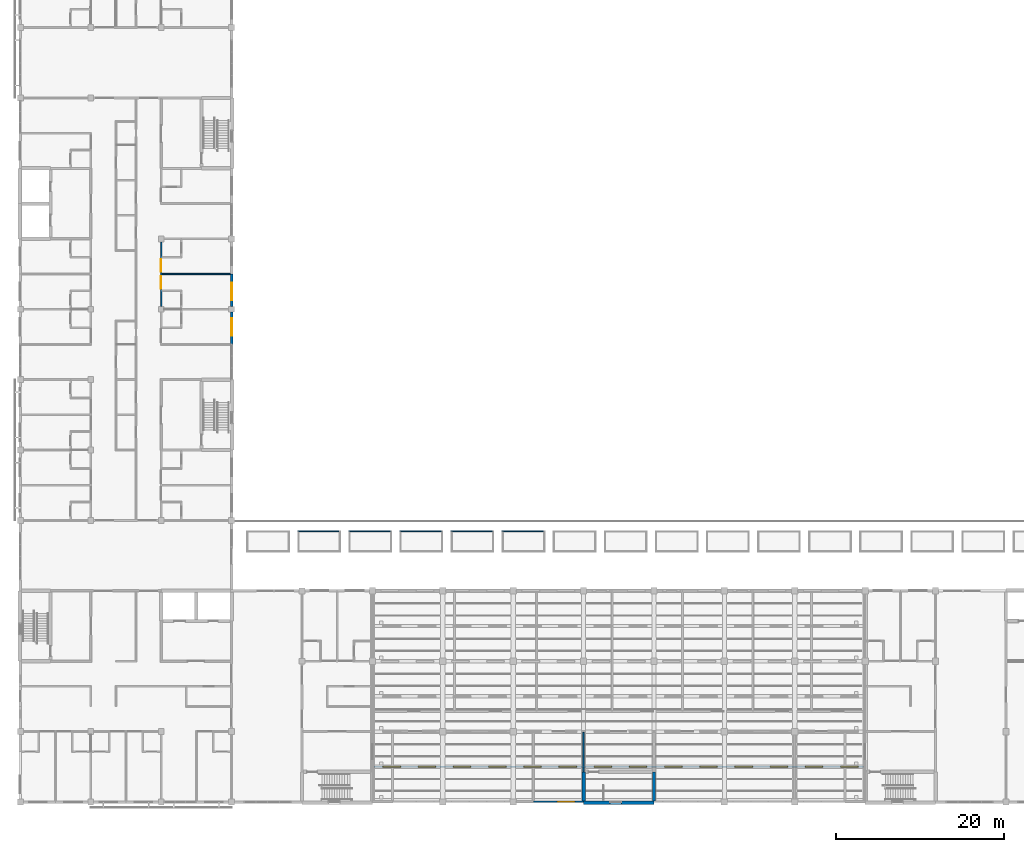
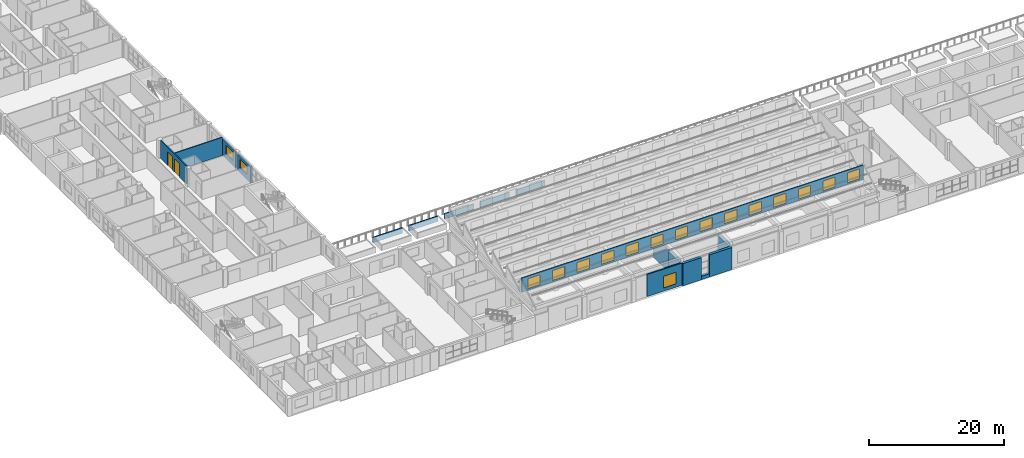
# One storey, part 33 of 61: 17 walls, 17 windows, 2 doors, 19 openings.
"""IFC4 building model written with IfcOpenShell, lengths in metres."""

from ifc_helpers import new_model, si_unit, direction, frame, frame_2d, origin, place, context, subcontext, project, spatial, rectangle, extrude, material, layer, layer_set, type_object, element, fill, save


model = new_model("IFC4")

# Units and contexts
model_context = context("Model", 3, precision=1e-05, world=origin(), true_north=direction((0.0, 1.0)))
body_context = subcontext(model_context, "Body", "Model", "MODEL_VIEW")
ifc_project = project(units=[si_unit("LENGTHUNIT", "METRE"), si_unit("AREAUNIT", "SQUARE_METRE"), si_unit("VOLUMEUNIT", "CUBIC_METRE"), si_unit("PLANEANGLEUNIT", "RADIAN"), si_unit("MASSUNIT", "GRAM", prefix="KILO")], contexts=[model_context])

# Site, building, storey
site_placement = place(None, origin())
site = spatial("IfcSite", under=ifc_project, at=site_placement, CompositionType="ELEMENT")
building_placement = place(site_placement, origin())
building = spatial("IfcBuilding", under=site, at=building_placement, Name="Yavir Park General Hospital", CompositionType="ELEMENT")
storey_placement = place(building_placement, frame((0.0, 0.0, 15.300048828125)))
storey = spatial("IfcBuildingStorey", under=building, at=storey_placement, Name="L03", CompositionType="ELEMENT", Elevation=15.300048828125)

# Walls
ifc_material_1 = material(Name="Double gypsum board fire partition on steel studs", Category="steel")
ifc_layer_1 = layer(ifc_material_1, 0.199951171875)
ifc_layer_set_1 = layer_set([ifc_layer_1], Name="Double gypsum board fire partition on steel studs")
wall_type_1 = type_object("IfcWallType", Name="Fire-rated partition 200, EI 60", PredefinedType="PARTITIONING", material=ifc_layer_set_1)
wall_1_placement = place(storey_placement, frame((67.199951171875, 3.60009765625, 0.0), z_axis=(0.0, 0.0, 1.0), x_axis=(0.0, 1.0, 0.0)))
element("IfcWall", 1, at=wall_1_placement, inside=storey, type_object=wall_type_1, Name="FP20 L03-234", PredefinedType="PARTITIONING", context=body_context, shape_type="SweptSolid", body=[
    extrude(rectangle(XDim=4.699951171875, YDim=0.199951171875, at=frame_2d((2.35009765625, 0.0))), origin(), (0.0, 0.0, 1.0), 4.0),
])
ifc_material_2 = material(Name="Gypsum board partition on steel studs", Category="steel")
ifc_layer_2 = layer(ifc_material_2, 0.14990234375)
ifc_layer_set_2 = layer_set([ifc_layer_2], Name="Gypsum board partition on steel studs")
wall_type_2 = type_object("IfcWallType", Name="Gypsum board partition 150", PredefinedType="PARTITIONING", material=ifc_layer_set_2)
wall_2_placement = place(storey_placement, frame((16.875, 63.0, 0.0), z_axis=(0.0, 0.0, 1.0), x_axis=(1.0, 0.0, 0.0)))
element("IfcWall", 2, at=wall_2_placement, inside=storey, type_object=wall_type_2, Name="P15 L03-098", PredefinedType="PARTITIONING", context=body_context, shape_type="SweptSolid", body=[
    extrude(rectangle(XDim=8.175048828125, YDim=0.14990234375, at=frame_2d((4.08740234375, 0.0))), origin(), (0.0, 0.0, 1.0), 3.260009765625),
])

# Wall, openings, doors
wall_3_placement = place(storey_placement, frame((16.800048828125, 59.14990234375, 0.0), z_axis=(0.0, 0.0, 1.0), x_axis=(0.0, 1.0, 0.0)))
wall_3 = element("IfcWall", 3, at=wall_3_placement, inside=storey, type_object=wall_type_2, Name="P15 L03-194", PredefinedType="PARTITIONING", context=body_context, shape_type="SweptSolid", body=[
    extrude(rectangle(XDim=7.7001953125, YDim=0.14990234375, at=frame_2d((3.85009765625, 0.0))), origin(), (0.0, 0.0, 1.0), 3.260009765625),
])
opening_1_placement = place(wall_3_placement, frame((2.10009765625, 0.0, 0.0)))
opening_1 = element("IfcOpeningElement", 4, at=opening_1_placement, cuts=wall_3, Name="Opening L03.D135", PredefinedType="OPENING", context=body_context, shape_type="SweptSolid", body=[
    extrude(rectangle(XDim=1.5, YDim=2.39990234375, at=frame_2d((0.75, 1.199951171875))), frame((0.0, 0.0849609375, 0.0), z_axis=(0.0, -1.0, 0.0), x_axis=(1.0, 0.0, 0.0)), (0.0, 0.0, 1.0), 0.169921875),
])
opening_2_placement = place(wall_3_placement, frame((4.10009765625, 0.0, 0.0)))
opening_2 = element("IfcOpeningElement", 5, at=opening_2_placement, cuts=wall_3, Name="Opening L03.D136", PredefinedType="OPENING", context=body_context, shape_type="SweptSolid", body=[
    extrude(rectangle(XDim=1.5, YDim=2.39990234375, at=frame_2d((0.75, 1.199951171875))), frame((0.0, 0.0849609375, 0.0), z_axis=(0.0, -1.0, 0.0), x_axis=(1.0, 0.0, 0.0)), (0.0, 0.0, 1.0), 0.169921875),
])
ifc_material_3 = material(Name="Solid-core timber leaves, push plates, kick plates", Category="wood")
door_type = type_object("IfcDoorType", Name="Bed door, unequal leaves 1500 x 2400", OperationType="DOUBLE_DOOR_SINGLE_SWING", PredefinedType="DOOR", material=ifc_material_3)
door_1_placement = place(opening_1_placement, origin())
door_1 = element("IfcDoor", 6, at=door_1_placement, inside=storey, type_object=door_type, Name="L03.D135", OperationType="SINGLE_SWING_LEFT", OverallHeight=2.39990234375, OverallWidth=1.5, PredefinedType="DOOR", context=body_context, shape_type="SweptSolid", body=[
    extrude(rectangle(XDim=1.5, YDim=2.39990234375, at=frame_2d((0.75, 1.199951171875))), frame((0.0, 0.030029296875, 0.0), z_axis=(0.0, -1.0, 0.0), x_axis=(1.0, 0.0, 0.0)), (0.0, 0.0, 1.0), 0.06005859375),
])
fill(opening_1, door_1)
door_2_placement = place(opening_2_placement, origin())
door_2 = element("IfcDoor", 7, at=door_2_placement, inside=storey, type_object=door_type, Name="L03.D136", OperationType="SINGLE_SWING_LEFT", OverallHeight=2.39990234375, OverallWidth=1.5, PredefinedType="DOOR", context=body_context, shape_type="SweptSolid", body=[
    extrude(rectangle(XDim=1.5, YDim=2.39990234375, at=frame_2d((0.75, 1.199951171875))), frame((0.0, 0.030029296875, 0.0), z_axis=(0.0, -1.0, 0.0), x_axis=(1.0, 0.0, 0.0)), (0.0, 0.0, 1.0), 0.06005859375),
])
fill(opening_2, door_2)

# Wall, opening, window
ifc_material_4 = material(Name="Insulated sheet steel panels on a Steel S355 subframe", Category="steel")
ifc_layer_3 = layer(ifc_material_4, 0.22509765625)
ifc_layer_set_3 = layer_set([ifc_layer_3], Name="Insulated sheet steel panels on a Steel S355 subframe")
wall_type_3 = type_object("IfcWallType", Name="Louvred plant wall 225, E 30", PredefinedType="SOLIDWALL", material=ifc_layer_set_3)
wall_4_placement = place(storey_placement, frame((61.199951171875, 0.03759765625, 0.0), z_axis=(0.0, 0.0, 1.0), x_axis=(1.0, 0.0, 0.0)))
wall_4 = element("IfcWall", 8, at=wall_4_placement, inside=storey, type_object=wall_type_3, Name="XW4 L03-017", PredefinedType="SOLIDWALL", context=body_context, shape_type="SweptSolid", body=[
    extrude(rectangle(XDim=6.0, YDim=0.22509765625, at=frame_2d((3.0, 0.0))), origin(), (0.0, 0.0, 1.0), 4.0),
])
opening_3_placement = place(wall_4_placement, frame((2.85009765625, 0.0, 0.60009765625)))
opening_3 = element("IfcOpeningElement", 9, at=opening_3_placement, cuts=wall_4, Name="Opening LV2", PredefinedType="OPENING", context=body_context, shape_type="SweptSolid", body=[
    extrude(rectangle(XDim=2.10009765625, YDim=2.10009765625, at=frame_2d((1.050048828125, 1.050048828125))), frame((0.0, 0.12255859375, 0.0), z_axis=(0.0, -1.0, 0.0), x_axis=(1.0, 0.0, 0.0)), (0.0, 0.0, 1.0), 0.2451171875),
])
ifc_material_5 = material(Name="Anodised aluminium louvre blades in a deep frame", Category="aluminium")
window_type_1 = type_object("IfcWindowType", Name="Tall plant louvre 2100 x 2100", PartitioningType="SINGLE_PANEL", PredefinedType="WINDOW", material=ifc_material_5)
window_1_placement = place(opening_3_placement, origin())
window_1 = element("IfcWindow", 10, at=window_1_placement, inside=storey, type_object=window_type_1, Name="LV2 L03-009", OverallHeight=2.10009765625, OverallWidth=2.10009765625, PartitioningType="SINGLE_PANEL", PredefinedType="WINDOW", context=body_context, shape_type="SweptSolid", body=[
    extrude(rectangle(XDim=2.10009765625, YDim=2.10009765625, at=frame_2d((1.050048828125, 1.050048828125))), frame((0.0, 0.074951171875, 0.0), z_axis=(0.0, -1.0, 0.0), x_axis=(1.0, 0.0, 0.0)), (0.0, 0.0, 1.0), 0.14990234375),
])
fill(opening_3, window_1)

ifc_material_6 = material(Name="Autoclaved aerated block, mineral wool and ochre mineral render")
ifc_layer_4 = layer(ifc_material_6, 0.300048828125)
ifc_layer_set_4 = layer_set([ifc_layer_4], Name="Autoclaved aerated block, mineral wool and ochre mineral render")
wall_type_4 = type_object("IfcWallType", Name="Ochre render ward wall 300, E 30", PredefinedType="SOLIDWALL", material=ifc_layer_set_4)
wall_5_placement = place(storey_placement, frame((25.199951171875, 54.60009765625, 0.0), z_axis=(0.0, 0.0, 1.0), x_axis=(0.0, 1.0, 0.0)))
wall_5 = element("IfcWall", 11, at=wall_5_placement, inside=storey, type_object=wall_type_4, Name="XW7 L03-131", PredefinedType="SOLIDWALL", context=body_context, shape_type="SweptSolid", body=[
    extrude(rectangle(XDim=3.849853515625, YDim=0.300048828125, at=frame_2d((1.9248046875, 0.0))), origin(), (0.0, 0.0, 1.0), 2.9599609375),
])
opening_4_placement = place(wall_5_placement, frame((1.050048828125, 0.0, 0.89990234375)))
opening_4 = element("IfcOpeningElement", 12, at=opening_4_placement, cuts=wall_5, Name="Opening WAR", PredefinedType="OPENING", context=body_context, shape_type="SweptSolid", body=[
    extrude(rectangle(XDim=2.10009765625, YDim=1.5, at=frame_2d((1.050048828125, 0.75))), frame((0.0, 0.159912109375, 0.0), z_axis=(0.0, -1.0, 0.0), x_axis=(1.0, 0.0, 0.0)), (0.0, 0.0, 1.0), 0.320068359375),
])
ifc_material_7 = material(Name="Aluminium frame, tilt-and-turn sash with opening restrictor, double glazed unit", Category="aluminium")
window_type_2 = type_object("IfcWindowType", Name="Ward window, restricted opening 2100 x 1500", PartitioningType="DOUBLE_PANEL_VERTICAL", PredefinedType="WINDOW", material=ifc_material_7)
window_2_placement = place(opening_4_placement, origin())
window_2 = element("IfcWindow", 13, at=window_2_placement, inside=storey, type_object=window_type_2, Name="WAR L03-064", OverallHeight=1.5, OverallWidth=2.10009765625, PartitioningType="DOUBLE_PANEL_VERTICAL", PredefinedType="WINDOW", context=body_context, shape_type="SweptSolid", body=[
    extrude(rectangle(XDim=2.10009765625, YDim=1.5, at=frame_2d((1.050048828125, 0.75))), frame((0.0, 0.050048828125, 0.0), z_axis=(0.0, -1.0, 0.0), x_axis=(1.0, 0.0, 0.0)), (0.0, 0.0, 1.0), 0.10009765625),
])
fill(opening_4, window_2)

wall_6_placement = place(storey_placement, frame((25.199951171875, 59.14990234375, 0.0), z_axis=(0.0, 0.0, 1.0), x_axis=(0.0, 1.0, 0.0)))
wall_6 = element("IfcWall", 14, at=wall_6_placement, inside=storey, type_object=wall_type_4, Name="XW7 L03-132", PredefinedType="SOLIDWALL", context=body_context, shape_type="SweptSolid", body=[
    extrude(rectangle(XDim=3.85009765625, YDim=0.300048828125, at=frame_2d((1.925048828125, 0.0))), origin(), (0.0, 0.0, 1.0), 2.9599609375),
])
opening_5_placement = place(wall_6_placement, frame((0.699951171875, 0.0, 0.89990234375)))
opening_5 = element("IfcOpeningElement", 15, at=opening_5_placement, cuts=wall_6, Name="Opening WAR", PredefinedType="OPENING", context=body_context, shape_type="SweptSolid", body=[
    extrude(rectangle(XDim=2.10009765625, YDim=1.5, at=frame_2d((1.050048828125, 0.75))), frame((0.0, 0.159912109375, 0.0), z_axis=(0.0, -1.0, 0.0), x_axis=(1.0, 0.0, 0.0)), (0.0, 0.0, 1.0), 0.320068359375),
])
window_3_placement = place(opening_5_placement, origin())
window_3 = element("IfcWindow", 16, at=window_3_placement, inside=storey, type_object=window_type_2, Name="WAR L03-065", OverallHeight=1.5, OverallWidth=2.10009765625, PartitioningType="DOUBLE_PANEL_VERTICAL", PredefinedType="WINDOW", context=body_context, shape_type="SweptSolid", body=[
    extrude(rectangle(XDim=2.10009765625, YDim=1.5, at=frame_2d((1.050048828125, 0.75))), frame((0.0, 0.050048828125, 0.0), z_axis=(0.0, -1.0, 0.0), x_axis=(1.0, 0.0, 0.0)), (0.0, 0.0, 1.0), 0.10009765625),
])
fill(opening_5, window_3)

# Walls
ifc_material_8 = material(Name="Concrete C30/37", Category="concrete")
ifc_layer_5 = layer(ifc_material_8, 0.14990234375)
ifc_layer_set_5 = layer_set([ifc_layer_5], Name="Concrete C30/37")
wall_type_5 = type_object("IfcWallType", Name="Planter upstand 150 x 1000", PredefinedType="STANDARD", material=ifc_layer_set_5)
for number, where, z_axis, x_axis, name in (
    (17, (38.068603515625, 32.300048828125, 0.0), (0.0, 0.0, 1.0), (-1.0, 0.0, 0.0), "Planter upstand 2.3"),
    (18, (44.1640625, 32.300048828125, 0.0), (0.0, 0.0, 1.0), (-1.0, 0.0, 0.0), "Planter upstand 3.3"),
    (19, (50.259765625, 32.300048828125, 0.0), (0.0, 0.0, 1.0), (-1.0, 0.0, 0.0), "Planter upstand 4.3"),
    (20, (56.35546875, 32.300048828125, 0.0), (0.0, 0.0, 1.0), (-1.0, 0.0, 0.0), "Planter upstand 5.3"),
    (21, (62.451171875, 32.300048828125, 0.0), (0.0, 0.0, 1.0), (-1.0, 0.0, 0.0), "Planter upstand 6.3"),
):
    element("IfcWall", number, at=place(storey_placement, frame(where, z_axis=z_axis, x_axis=x_axis)), inside=storey, type_object=wall_type_5, Name=name, PredefinedType="STANDARD", context=body_context, shape_type="SweptSolid", body=[
        extrude(rectangle(XDim=5.0, YDim=0.14990234375, at=frame_2d((2.5, 0.0))), origin(), (0.0, 0.0, 1.0), 1.0),
    ])
ifc_material_9 = material(Name="Concrete C35/45", Category="concrete")
ifc_layer_6 = layer(ifc_material_9, 0.39990234375)
ifc_layer_set_6 = layer_set([ifc_layer_6], Name="Concrete C35/45")
wall_type_6 = type_object("IfcWallType", Name="Reinforced concrete core wall 400, REI 150", PredefinedType="SHEAR", material=ifc_layer_set_6)
for number, where, z_axis, x_axis, name in (
    (22, (67.199951171875, 0.14990234375, 0.0), (0.0, 0.0, 1.0), (0.0, 1.0, 0.0), "CW40 L03-233"),
    (23, (75.60009765625, 0.14990234375, 0.0), (0.0, 0.0, 1.0), (0.0, 1.0, 0.0), "CW40 L03-236"),
):
    element("IfcWall", number, at=place(storey_placement, frame(where, z_axis=z_axis, x_axis=x_axis)), inside=storey, type_object=wall_type_6, Name=name, PredefinedType="SHEAR", context=body_context, shape_type="SweptSolid", body=[
        extrude(rectangle(XDim=3.4501953125, YDim=0.39990234375, at=frame_2d((1.72509765625, 0.0))), origin(), (0.0, 0.0, 1.0), 4.0),
    ])

# Wall, openings, windows
ifc_material_10 = material(Name="Concrete C30/37 upstand with 80 mm mineral wool insulation", Category="concrete")
ifc_layer_7 = layer(ifc_material_10, 0.199951171875)
ifc_layer_set_7 = layer_set([ifc_layer_7], Name="Concrete C30/37 upstand with 80 mm mineral wool insulation")
wall_type_7 = type_object("IfcWallType", Name="Reinforced concrete louvre upstand wall 200, E 30", PredefinedType="SOLIDWALL", material=ifc_layer_set_7)
wall_7_placement = place(storey_placement, frame((42.2099609375, 4.199951171875, 4.904052734375), z_axis=(0.0, 0.0, 1.0), x_axis=(1.0, 0.0, 0.0)))
wall_7 = element("IfcWall", 24, at=wall_7_placement, inside=storey, type_object=wall_type_7, Name="XW11 L03-S01", PredefinedType="SOLIDWALL", context=body_context, shape_type="SweptSolid", body=[
    extrude(rectangle(XDim=58.380126953125, YDim=0.199951171875, at=frame_2d((29.18994140625, 0.0))), origin(), (0.0, 0.0, 1.0), 2.538818359375),
])
opening_6_placement = place(wall_7_placement, frame((1.050048828125, 0.0, 0.300048828125)))
opening_6 = element("IfcOpeningElement", 25, at=opening_6_placement, cuts=wall_7, Name="Opening LV5", PredefinedType="OPENING", context=body_context, shape_type="SweptSolid", body=[
    extrude(rectangle(XDim=2.10009765625, YDim=1.800048828125, at=frame_2d((1.050048828125, 0.89990234375))), frame((0.0, 0.10986328125, 0.0), z_axis=(0.0, -1.0, 0.0), x_axis=(1.0, 0.0, 0.0)), (0.0, 0.0, 1.0), 0.219970703125),
])
opening_7_placement = place(wall_7_placement, frame((5.25, 0.0, 0.300048828125)))
opening_7 = element("IfcOpeningElement", 26, at=opening_7_placement, cuts=wall_7, Name="Opening LV5", PredefinedType="OPENING", context=body_context, shape_type="SweptSolid", body=[
    extrude(rectangle(XDim=2.10009765625, YDim=1.800048828125, at=frame_2d((1.050048828125, 0.89990234375))), frame((0.0, 0.10986328125, 0.0), z_axis=(0.0, -1.0, 0.0), x_axis=(1.0, 0.0, 0.0)), (0.0, 0.0, 1.0), 0.219970703125),
])
opening_8_placement = place(wall_7_placement, frame((9.449951171875, 0.0, 0.300048828125)))
opening_8 = element("IfcOpeningElement", 27, at=opening_8_placement, cuts=wall_7, Name="Opening LV5", PredefinedType="OPENING", context=body_context, shape_type="SweptSolid", body=[
    extrude(rectangle(XDim=2.10009765625, YDim=1.800048828125, at=frame_2d((1.050048828125, 0.89990234375))), frame((0.0, 0.10986328125, 0.0), z_axis=(0.0, -1.0, 0.0), x_axis=(1.0, 0.0, 0.0)), (0.0, 0.0, 1.0), 0.219970703125),
])
opening_9_placement = place(wall_7_placement, frame((13.64990234375, 0.0, 0.300048828125)))
opening_9 = element("IfcOpeningElement", 28, at=opening_9_placement, cuts=wall_7, Name="Opening LV5", PredefinedType="OPENING", context=body_context, shape_type="SweptSolid", body=[
    extrude(rectangle(XDim=2.10009765625, YDim=1.800048828125, at=frame_2d((1.050048828125, 0.89990234375))), frame((0.0, 0.10986328125, 0.0), z_axis=(0.0, -1.0, 0.0), x_axis=(1.0, 0.0, 0.0)), (0.0, 0.0, 1.0), 0.219970703125),
])
opening_10_placement = place(wall_7_placement, frame((17.85009765625, 0.0, 0.300048828125)))
opening_10 = element("IfcOpeningElement", 29, at=opening_10_placement, cuts=wall_7, Name="Opening LV5", PredefinedType="OPENING", context=body_context, shape_type="SweptSolid", body=[
    extrude(rectangle(XDim=2.10009765625, YDim=1.800048828125, at=frame_2d((1.050048828125, 0.89990234375))), frame((0.0, 0.10986328125, 0.0), z_axis=(0.0, -1.0, 0.0), x_axis=(1.0, 0.0, 0.0)), (0.0, 0.0, 1.0), 0.219970703125),
])
opening_11_placement = place(wall_7_placement, frame((22.050048828125, 0.0, 0.300048828125)))
opening_11 = element("IfcOpeningElement", 30, at=opening_11_placement, cuts=wall_7, Name="Opening LV5", PredefinedType="OPENING", context=body_context, shape_type="SweptSolid", body=[
    extrude(rectangle(XDim=2.10009765625, YDim=1.800048828125, at=frame_2d((1.050048828125, 0.89990234375))), frame((0.0, 0.10986328125, 0.0), z_axis=(0.0, -1.0, 0.0), x_axis=(1.0, 0.0, 0.0)), (0.0, 0.0, 1.0), 0.219970703125),
])
opening_12_placement = place(wall_7_placement, frame((26.25, 0.0, 0.300048828125)))
opening_12 = element("IfcOpeningElement", 31, at=opening_12_placement, cuts=wall_7, Name="Opening LV5", PredefinedType="OPENING", context=body_context, shape_type="SweptSolid", body=[
    extrude(rectangle(XDim=2.10009765625, YDim=1.800048828125, at=frame_2d((1.050048828125, 0.89990234375))), frame((0.0, 0.10986328125, 0.0), z_axis=(0.0, -1.0, 0.0), x_axis=(1.0, 0.0, 0.0)), (0.0, 0.0, 1.0), 0.219970703125),
])
opening_13_placement = place(wall_7_placement, frame((30.449951171875, 0.0, 0.300048828125)))
opening_13 = element("IfcOpeningElement", 32, at=opening_13_placement, cuts=wall_7, Name="Opening LV5", PredefinedType="OPENING", context=body_context, shape_type="SweptSolid", body=[
    extrude(rectangle(XDim=2.10009765625, YDim=1.800048828125, at=frame_2d((1.050048828125, 0.89990234375))), frame((0.0, 0.10986328125, 0.0), z_axis=(0.0, -1.0, 0.0), x_axis=(1.0, 0.0, 0.0)), (0.0, 0.0, 1.0), 0.219970703125),
])
opening_14_placement = place(wall_7_placement, frame((34.64990234375, 0.0, 0.300048828125)))
opening_14 = element("IfcOpeningElement", 33, at=opening_14_placement, cuts=wall_7, Name="Opening LV5", PredefinedType="OPENING", context=body_context, shape_type="SweptSolid", body=[
    extrude(rectangle(XDim=2.10009765625, YDim=1.800048828125, at=frame_2d((1.050048828125, 0.89990234375))), frame((0.0, 0.10986328125, 0.0), z_axis=(0.0, -1.0, 0.0), x_axis=(1.0, 0.0, 0.0)), (0.0, 0.0, 1.0), 0.219970703125),
])
opening_15_placement = place(wall_7_placement, frame((38.85009765625, 0.0, 0.300048828125)))
opening_15 = element("IfcOpeningElement", 34, at=opening_15_placement, cuts=wall_7, Name="Opening LV5", PredefinedType="OPENING", context=body_context, shape_type="SweptSolid", body=[
    extrude(rectangle(XDim=2.10009765625, YDim=1.800048828125, at=frame_2d((1.050048828125, 0.89990234375))), frame((0.0, 0.10986328125, 0.0), z_axis=(0.0, -1.0, 0.0), x_axis=(1.0, 0.0, 0.0)), (0.0, 0.0, 1.0), 0.219970703125),
])
opening_16_placement = place(wall_7_placement, frame((43.050048828125, 0.0, 0.300048828125)))
opening_16 = element("IfcOpeningElement", 35, at=opening_16_placement, cuts=wall_7, Name="Opening LV5", PredefinedType="OPENING", context=body_context, shape_type="SweptSolid", body=[
    extrude(rectangle(XDim=2.10009765625, YDim=1.800048828125, at=frame_2d((1.050048828125, 0.89990234375))), frame((0.0, 0.10986328125, 0.0), z_axis=(0.0, -1.0, 0.0), x_axis=(1.0, 0.0, 0.0)), (0.0, 0.0, 1.0), 0.219970703125),
])
opening_17_placement = place(wall_7_placement, frame((47.25, 0.0, 0.300048828125)))
opening_17 = element("IfcOpeningElement", 36, at=opening_17_placement, cuts=wall_7, Name="Opening LV5", PredefinedType="OPENING", context=body_context, shape_type="SweptSolid", body=[
    extrude(rectangle(XDim=2.10009765625, YDim=1.800048828125, at=frame_2d((1.050048828125, 0.89990234375))), frame((0.0, 0.10986328125, 0.0), z_axis=(0.0, -1.0, 0.0), x_axis=(1.0, 0.0, 0.0)), (0.0, 0.0, 1.0), 0.219970703125),
])
opening_18_placement = place(wall_7_placement, frame((51.449951171875, 0.0, 0.300048828125)))
opening_18 = element("IfcOpeningElement", 37, at=opening_18_placement, cuts=wall_7, Name="Opening LV5", PredefinedType="OPENING", context=body_context, shape_type="SweptSolid", body=[
    extrude(rectangle(XDim=2.10009765625, YDim=1.800048828125, at=frame_2d((1.050048828125, 0.89990234375))), frame((0.0, 0.10986328125, 0.0), z_axis=(0.0, -1.0, 0.0), x_axis=(1.0, 0.0, 0.0)), (0.0, 0.0, 1.0), 0.219970703125),
])
opening_19_placement = place(wall_7_placement, frame((55.64990234375, 0.0, 0.300048828125)))
opening_19 = element("IfcOpeningElement", 38, at=opening_19_placement, cuts=wall_7, Name="Opening LV5", PredefinedType="OPENING", context=body_context, shape_type="SweptSolid", body=[
    extrude(rectangle(XDim=2.10009765625, YDim=1.800048828125, at=frame_2d((1.050048828125, 0.89990234375))), frame((0.0, 0.10986328125, 0.0), z_axis=(0.0, -1.0, 0.0), x_axis=(1.0, 0.0, 0.0)), (0.0, 0.0, 1.0), 0.219970703125),
])
ifc_material_11 = material(Name="Anodised aluminium louvre blades in a deep frame", Category="aluminium")
window_type_3 = type_object("IfcWindowType", Name="Sawtooth louvre 2100 x 1800", PartitioningType="SINGLE_PANEL", PredefinedType="WINDOW", material=ifc_material_11)
window_4_placement = place(opening_6_placement, origin())
window_4 = element("IfcWindow", 39, at=window_4_placement, inside=storey, type_object=window_type_3, Name="LV5 L03-S01-01", OverallHeight=1.800048828125, OverallWidth=2.10009765625, PartitioningType="SINGLE_PANEL", PredefinedType="WINDOW", context=body_context, shape_type="SweptSolid", body=[
    extrude(rectangle(XDim=2.10009765625, YDim=1.800048828125, at=frame_2d((1.050048828125, 0.89990234375))), frame((0.0, 0.074951171875, 0.0), z_axis=(0.0, -1.0, 0.0), x_axis=(1.0, 0.0, 0.0)), (0.0, 0.0, 1.0), 0.14990234375),
])
fill(opening_6, window_4)
window_5_placement = place(opening_7_placement, origin())
window_5 = element("IfcWindow", 40, at=window_5_placement, inside=storey, type_object=window_type_3, Name="LV5 L03-S01-02", OverallHeight=1.800048828125, OverallWidth=2.10009765625, PartitioningType="SINGLE_PANEL", PredefinedType="WINDOW", context=body_context, shape_type="SweptSolid", body=[
    extrude(rectangle(XDim=2.10009765625, YDim=1.800048828125, at=frame_2d((1.050048828125, 0.89990234375))), frame((0.0, 0.074951171875, 0.0), z_axis=(0.0, -1.0, 0.0), x_axis=(1.0, 0.0, 0.0)), (0.0, 0.0, 1.0), 0.14990234375),
])
fill(opening_7, window_5)
window_6_placement = place(opening_8_placement, origin())
window_6 = element("IfcWindow", 41, at=window_6_placement, inside=storey, type_object=window_type_3, Name="LV5 L03-S01-03", OverallHeight=1.800048828125, OverallWidth=2.10009765625, PartitioningType="SINGLE_PANEL", PredefinedType="WINDOW", context=body_context, shape_type="SweptSolid", body=[
    extrude(rectangle(XDim=2.10009765625, YDim=1.800048828125, at=frame_2d((1.050048828125, 0.89990234375))), frame((0.0, 0.074951171875, 0.0), z_axis=(0.0, -1.0, 0.0), x_axis=(1.0, 0.0, 0.0)), (0.0, 0.0, 1.0), 0.14990234375),
])
fill(opening_8, window_6)
window_7_placement = place(opening_9_placement, origin())
window_7 = element("IfcWindow", 42, at=window_7_placement, inside=storey, type_object=window_type_3, Name="LV5 L03-S01-04", OverallHeight=1.800048828125, OverallWidth=2.10009765625, PartitioningType="SINGLE_PANEL", PredefinedType="WINDOW", context=body_context, shape_type="SweptSolid", body=[
    extrude(rectangle(XDim=2.10009765625, YDim=1.800048828125, at=frame_2d((1.050048828125, 0.89990234375))), frame((0.0, 0.074951171875, 0.0), z_axis=(0.0, -1.0, 0.0), x_axis=(1.0, 0.0, 0.0)), (0.0, 0.0, 1.0), 0.14990234375),
])
fill(opening_9, window_7)
window_8_placement = place(opening_10_placement, origin())
window_8 = element("IfcWindow", 43, at=window_8_placement, inside=storey, type_object=window_type_3, Name="LV5 L03-S01-05", OverallHeight=1.800048828125, OverallWidth=2.10009765625, PartitioningType="SINGLE_PANEL", PredefinedType="WINDOW", context=body_context, shape_type="SweptSolid", body=[
    extrude(rectangle(XDim=2.10009765625, YDim=1.800048828125, at=frame_2d((1.050048828125, 0.89990234375))), frame((0.0, 0.074951171875, 0.0), z_axis=(0.0, -1.0, 0.0), x_axis=(1.0, 0.0, 0.0)), (0.0, 0.0, 1.0), 0.14990234375),
])
fill(opening_10, window_8)
window_9_placement = place(opening_11_placement, origin())
window_9 = element("IfcWindow", 44, at=window_9_placement, inside=storey, type_object=window_type_3, Name="LV5 L03-S01-06", OverallHeight=1.800048828125, OverallWidth=2.10009765625, PartitioningType="SINGLE_PANEL", PredefinedType="WINDOW", context=body_context, shape_type="SweptSolid", body=[
    extrude(rectangle(XDim=2.10009765625, YDim=1.800048828125, at=frame_2d((1.050048828125, 0.89990234375))), frame((0.0, 0.074951171875, 0.0), z_axis=(0.0, -1.0, 0.0), x_axis=(1.0, 0.0, 0.0)), (0.0, 0.0, 1.0), 0.14990234375),
])
fill(opening_11, window_9)
window_10_placement = place(opening_12_placement, origin())
window_10 = element("IfcWindow", 45, at=window_10_placement, inside=storey, type_object=window_type_3, Name="LV5 L03-S01-07", OverallHeight=1.800048828125, OverallWidth=2.10009765625, PartitioningType="SINGLE_PANEL", PredefinedType="WINDOW", context=body_context, shape_type="SweptSolid", body=[
    extrude(rectangle(XDim=2.10009765625, YDim=1.800048828125, at=frame_2d((1.050048828125, 0.89990234375))), frame((0.0, 0.074951171875, 0.0), z_axis=(0.0, -1.0, 0.0), x_axis=(1.0, 0.0, 0.0)), (0.0, 0.0, 1.0), 0.14990234375),
])
fill(opening_12, window_10)
window_11_placement = place(opening_13_placement, origin())
window_11 = element("IfcWindow", 46, at=window_11_placement, inside=storey, type_object=window_type_3, Name="LV5 L03-S01-08", OverallHeight=1.800048828125, OverallWidth=2.10009765625, PartitioningType="SINGLE_PANEL", PredefinedType="WINDOW", context=body_context, shape_type="SweptSolid", body=[
    extrude(rectangle(XDim=2.10009765625, YDim=1.800048828125, at=frame_2d((1.050048828125, 0.89990234375))), frame((0.0, 0.074951171875, 0.0), z_axis=(0.0, -1.0, 0.0), x_axis=(1.0, 0.0, 0.0)), (0.0, 0.0, 1.0), 0.14990234375),
])
fill(opening_13, window_11)
window_12_placement = place(opening_14_placement, origin())
window_12 = element("IfcWindow", 47, at=window_12_placement, inside=storey, type_object=window_type_3, Name="LV5 L03-S01-09", OverallHeight=1.800048828125, OverallWidth=2.10009765625, PartitioningType="SINGLE_PANEL", PredefinedType="WINDOW", context=body_context, shape_type="SweptSolid", body=[
    extrude(rectangle(XDim=2.10009765625, YDim=1.800048828125, at=frame_2d((1.050048828125, 0.89990234375))), frame((0.0, 0.074951171875, 0.0), z_axis=(0.0, -1.0, 0.0), x_axis=(1.0, 0.0, 0.0)), (0.0, 0.0, 1.0), 0.14990234375),
])
fill(opening_14, window_12)
window_13_placement = place(opening_15_placement, origin())
window_13 = element("IfcWindow", 48, at=window_13_placement, inside=storey, type_object=window_type_3, Name="LV5 L03-S01-10", OverallHeight=1.800048828125, OverallWidth=2.10009765625, PartitioningType="SINGLE_PANEL", PredefinedType="WINDOW", context=body_context, shape_type="SweptSolid", body=[
    extrude(rectangle(XDim=2.10009765625, YDim=1.800048828125, at=frame_2d((1.050048828125, 0.89990234375))), frame((0.0, 0.074951171875, 0.0), z_axis=(0.0, -1.0, 0.0), x_axis=(1.0, 0.0, 0.0)), (0.0, 0.0, 1.0), 0.14990234375),
])
fill(opening_15, window_13)
window_14_placement = place(opening_16_placement, origin())
window_14 = element("IfcWindow", 49, at=window_14_placement, inside=storey, type_object=window_type_3, Name="LV5 L03-S01-11", OverallHeight=1.800048828125, OverallWidth=2.10009765625, PartitioningType="SINGLE_PANEL", PredefinedType="WINDOW", context=body_context, shape_type="SweptSolid", body=[
    extrude(rectangle(XDim=2.10009765625, YDim=1.800048828125, at=frame_2d((1.050048828125, 0.89990234375))), frame((0.0, 0.074951171875, 0.0), z_axis=(0.0, -1.0, 0.0), x_axis=(1.0, 0.0, 0.0)), (0.0, 0.0, 1.0), 0.14990234375),
])
fill(opening_16, window_14)
window_15_placement = place(opening_17_placement, origin())
window_15 = element("IfcWindow", 50, at=window_15_placement, inside=storey, type_object=window_type_3, Name="LV5 L03-S01-12", OverallHeight=1.800048828125, OverallWidth=2.10009765625, PartitioningType="SINGLE_PANEL", PredefinedType="WINDOW", context=body_context, shape_type="SweptSolid", body=[
    extrude(rectangle(XDim=2.10009765625, YDim=1.800048828125, at=frame_2d((1.050048828125, 0.89990234375))), frame((0.0, 0.074951171875, 0.0), z_axis=(0.0, -1.0, 0.0), x_axis=(1.0, 0.0, 0.0)), (0.0, 0.0, 1.0), 0.14990234375),
])
fill(opening_17, window_15)
window_16_placement = place(opening_18_placement, origin())
window_16 = element("IfcWindow", 51, at=window_16_placement, inside=storey, type_object=window_type_3, Name="LV5 L03-S01-13", OverallHeight=1.800048828125, OverallWidth=2.10009765625, PartitioningType="SINGLE_PANEL", PredefinedType="WINDOW", context=body_context, shape_type="SweptSolid", body=[
    extrude(rectangle(XDim=2.10009765625, YDim=1.800048828125, at=frame_2d((1.050048828125, 0.89990234375))), frame((0.0, 0.074951171875, 0.0), z_axis=(0.0, -1.0, 0.0), x_axis=(1.0, 0.0, 0.0)), (0.0, 0.0, 1.0), 0.14990234375),
])
fill(opening_18, window_16)
window_17_placement = place(opening_19_placement, origin())
window_17 = element("IfcWindow", 52, at=window_17_placement, inside=storey, type_object=window_type_3, Name="LV5 L03-S01-14", OverallHeight=1.800048828125, OverallWidth=2.10009765625, PartitioningType="SINGLE_PANEL", PredefinedType="WINDOW", context=body_context, shape_type="SweptSolid", body=[
    extrude(rectangle(XDim=2.10009765625, YDim=1.800048828125, at=frame_2d((1.050048828125, 0.89990234375))), frame((0.0, 0.074951171875, 0.0), z_axis=(0.0, -1.0, 0.0), x_axis=(1.0, 0.0, 0.0)), (0.0, 0.0, 1.0), 0.14990234375),
])
fill(opening_19, window_17)

# Walls
ifc_material_12 = material(Name="Concrete C30/37 precast panel with 150 mm mineral wool insulation", Category="concrete")
ifc_layer_8 = layer(ifc_material_12, 0.449951171875)
ifc_layer_set_8 = layer_set([ifc_layer_8], Name="Concrete C30/37 precast panel with 150 mm mineral wool insulation")
wall_type_8 = type_object("IfcWallType", Name="Stair enclosure wall 450, REI 150", PredefinedType="SOLIDWALL", material=ifc_layer_set_8)
wall_8_placement = place(storey_placement, frame((67.199951171875, -0.074951171875, 0.0), z_axis=(0.0, 0.0, 1.0), x_axis=(1.0, 0.0, 0.0)))
element("IfcWall", 53, at=wall_8_placement, inside=storey, type_object=wall_type_8, Name="XW6 L03-018", PredefinedType="SOLIDWALL", context=body_context, shape_type="SweptSolid", body=[
    extrude(rectangle(XDim=3.150146484375, YDim=0.449951171875, at=frame_2d((1.5751953125, 0.0))), origin(), (0.0, 0.0, 1.0), 4.0),
])
wall_9_placement = place(storey_placement, frame((71.75, -0.074951171875, 0.0), z_axis=(0.0, 0.0, 1.0), x_axis=(1.0, 0.0, 0.0)))
element("IfcWall", 54, at=wall_9_placement, inside=storey, type_object=wall_type_8, Name="XW6 L03-019", PredefinedType="SOLIDWALL", context=body_context, shape_type="SweptSolid", body=[
    extrude(rectangle(XDim=3.85009765625, YDim=0.449951171875, at=frame_2d((1.925048828125, 0.0))), origin(), (0.0, 0.0, 1.0), 4.0),
])
wall_10_placement = place(storey_placement, frame((70.35009765625, -0.074951171875, 0.0), z_axis=(0.0, 0.0, 1.0), x_axis=(1.0, 0.0, 0.0)))
element("IfcWall", 55, at=wall_10_placement, inside=storey, type_object=wall_type_8, Name="XW6 L03-020", PredefinedType="SOLIDWALL", context=body_context, shape_type="SweptSolid", body=[
    extrude(rectangle(XDim=1.39990234375, YDim=0.449951171875, at=frame_2d((0.699951171875, 0.0))), origin(), (0.0, 0.0, 1.0), 0.599853515625),
])

save(model, "model.ifc")
